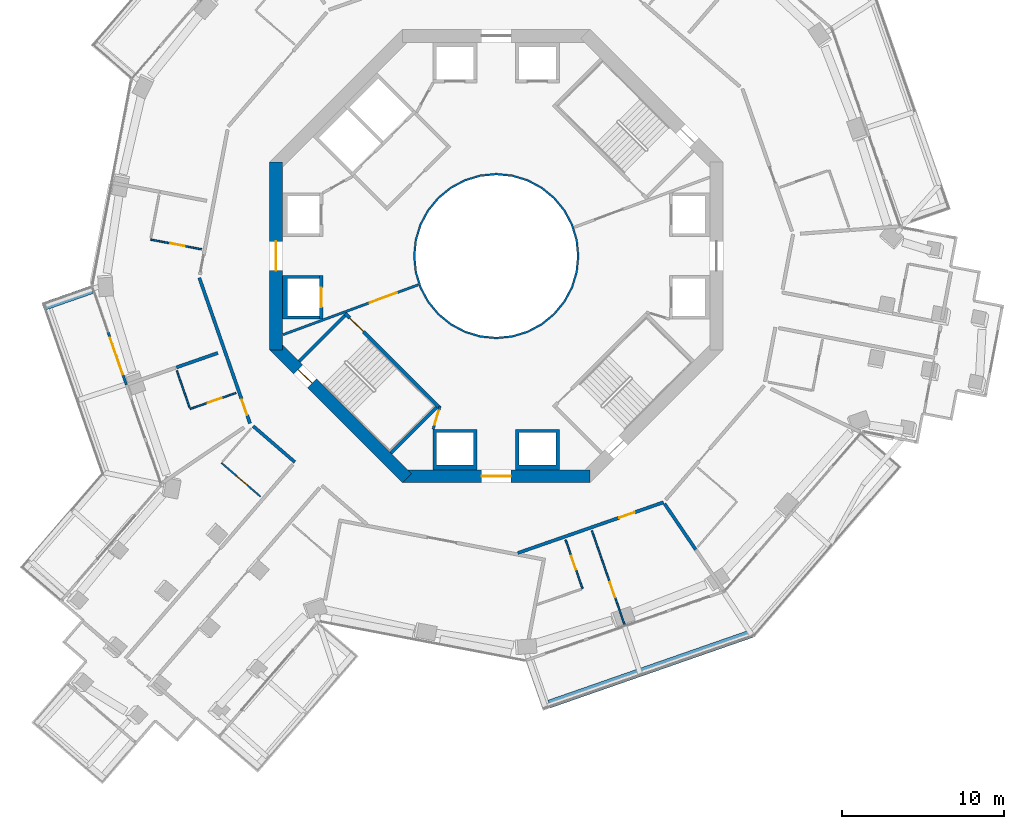
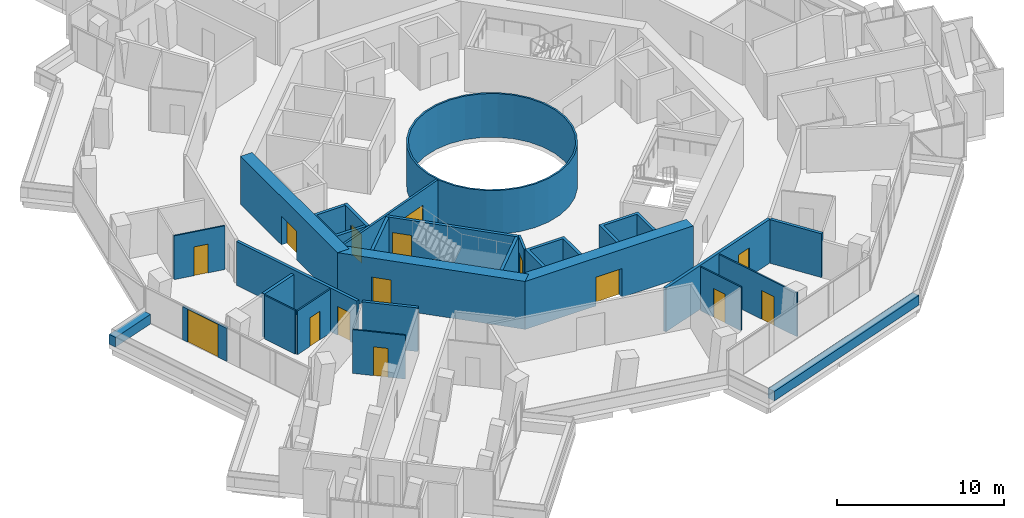
# One storey, part 16 of 23: 27 walls, 15 doors, 15 openings.
"""IFC4 building model written with IfcOpenShell, lengths in metres."""

from ifc_helpers import new_model, si_unit, direction, frame, frame_2d, origin, place, context, subcontext, project, spatial, polyline, rectangle, outline, extrude, material, layer, layer_set, type_object, element, fill, save


model = new_model("IFC4")

# Units and contexts
model_context = context("Model", 3, precision=1e-05, world=origin(), true_north=direction((0.0, 1.0)))
body_context = subcontext(model_context, "Body", "Model", "MODEL_VIEW")
ifc_project = project(units=[si_unit("LENGTHUNIT", "METRE"), si_unit("AREAUNIT", "SQUARE_METRE"), si_unit("VOLUMEUNIT", "CUBIC_METRE"), si_unit("PLANEANGLEUNIT", "RADIAN"), si_unit("MASSUNIT", "GRAM", prefix="KILO")], contexts=[model_context])

# Site, building, storey
site_placement = place(None, origin())
site = spatial("IfcSite", under=ifc_project, at=site_placement, CompositionType="ELEMENT")
building_placement = place(site_placement, origin())
building = spatial("IfcBuilding", under=site, at=building_placement, Name="Verdalira Terraces Hotel", CompositionType="ELEMENT")
storey_placement = place(building_placement, frame((0.0, 0.0, 111.5)))
storey = spatial("IfcBuildingStorey", under=building, at=storey_placement, Name="L26", CompositionType="ELEMENT", Elevation=111.5)

# Walls
ifc_material_1 = material(Name="Fire-resisting glass EI 180", Category="glass")
ifc_layer_1 = layer(ifc_material_1, 0.1201171875)
ifc_layer_set_1 = layer_set([ifc_layer_1], Name="Atrium fire screen 120 mm")
wall_type_1 = type_object("IfcWallType", Name="Atrium fire screen 120 mm", PredefinedType="SOLIDWALL", material=ifc_layer_set_1)
wall_1_placement = place(storey_placement, origin())
element("IfcWall", 1, at=wall_1_placement, inside=storey, type_object=wall_type_1, Name="Atrium fire screen", PredefinedType="SOLIDWALL", context=body_context, shape_type="SweptSolid", body=[
    extrude(outline(polyline([(5.021484, -0.998779), (4.730225, -1.959229), (4.25708, -2.844482), (3.620361, -3.620361), (2.844482, -4.25708), (1.959229, -4.730225), (0.998779, -5.021484), (0.0, -5.120117), (-0.998779, -5.021484), (-1.959229, -4.730225), (-2.844482, -4.25708), (-3.620361, -3.620361), (-4.25708, -2.844482), (-4.730225, -1.959229), (-5.021484, -0.998779), (-5.120117, 0.0), (-5.021484, 0.998779), (-4.730225, 1.959229), (-4.25708, 2.844482), (-3.620361, 3.620361), (-2.844482, 4.25708), (-1.959229, 4.730225), (-0.998779, 5.021484), (0.0, 5.120117), (0.998779, 5.021484), (1.959229, 4.730225), (2.844482, 4.25708), (3.620361, 3.620361), (4.25708, 2.844482), (4.730225, 1.959229), (5.021484, 0.998779), (5.120117, 0.0), (5.021484, -0.998779)]), holes=[polyline([(4.903809, 0.975586), (4.619385, 1.91333), (4.157227, 2.777832), (3.5354, 3.5354), (2.777832, 4.157227), (1.91333, 4.619385), (0.975586, 4.903809), (0.0, 5.0), (-0.975586, 4.903809), (-1.91333, 4.619385), (-2.777832, 4.157227), (-3.5354, 3.5354), (-4.157227, 2.777832), (-4.619385, 1.91333), (-4.903809, 0.975586), (-5.0, 0.0), (-4.903809, -0.975586), (-4.619385, -1.91333), (-4.157227, -2.777832), (-3.5354, -3.5354), (-2.777832, -4.157227), (-1.91333, -4.619385), (-0.975586, -4.903809), (0.0, -5.0), (0.975586, -4.903809), (1.91333, -4.619385), (2.777832, -4.157227), (3.5354, -3.5354), (4.157227, -2.777832), (4.619385, -1.91333), (4.903809, -0.975586), (5.0, 0.0), (4.903809, 0.975586)])]), origin(), (0.0, 0.0, 1.0), 3.189941),
])
ifc_material_2 = material(Name="Concrete C40", Category="concrete")
ifc_layer_2 = layer(ifc_material_2, 0.5)
ifc_layer_set_2 = layer_set([ifc_layer_2], Name="Balcony planter trough with tree")
wall_type_2 = type_object("IfcWallType", Name="Balcony planter trough with tree", PredefinedType="SOLIDWALL", material=ifc_layer_set_2)
wall_2_placement = place(storey_placement, frame((-24.965332, -2.075684, 0.0), z_axis=(0.0, 0.0, 1.0), x_axis=(-0.944378331, -0.328861017, 0.0)))
element("IfcWall", 2, at=wall_2_placement, inside=storey, type_object=wall_type_2, Name="Balcony planter", PredefinedType="SOLIDWALL", context=body_context, shape_type="SweptSolid", body=[
    extrude(rectangle(XDim=3.198975, YDim=0.5, at=frame_2d((1.599609, 0.0))), origin(), (0.0, 0.0, 1.0), 0.699951),
])
wall_3_placement = place(storey_placement, frame((3.281738, -27.668213, 0.0), z_axis=(0.0, 0.0, 1.0), x_axis=(0.94437244, 0.328877933, 0.0)))
element("IfcWall", 3, at=wall_3_placement, inside=storey, type_object=wall_type_2, Name="Balcony planter", PredefinedType="SOLIDWALL", context=body_context, shape_type="SweptSolid", body=[
    extrude(rectangle(XDim=13.223389, YDim=0.5, at=frame_2d((6.611816, 0.0))), origin(), (0.0, 0.0, 1.0), 0.699951),
])

# Wall, opening, door
ifc_material_3 = material(Name="Moisture-resistant gypsum board partition")
ifc_layer_3 = layer(ifc_material_3, 0.10009765625)
ifc_layer_set_3 = layer_set([ifc_layer_3], Name="Bathroom partition 100 mm")
wall_type_3 = type_object("IfcWallType", Name="Bathroom partition 100 mm", PredefinedType="PARTITIONING", material=ifc_layer_set_3)
wall_4_placement = place(storey_placement, frame((-21.345703, 1.017822, 0.0), z_axis=(0.0, 0.0, 1.0), x_axis=(0.982287779, -0.187378546, 0.0)))
wall_4 = element("IfcWall", 4, at=wall_4_placement, inside=storey, type_object=wall_type_3, Name="Bathroom partition", PredefinedType="PARTITIONING", context=body_context, shape_type="SweptSolid", body=[
    extrude(rectangle(XDim=3.199951, YDim=0.100098, at=frame_2d((1.600098, 0.0))), origin(), (0.0, 0.0, 1.0), 3.189941),
])
opening_1_placement = place(wall_4_placement, frame((1.25, 0.0, 0.0)))
opening_1 = element("IfcOpeningElement", 5, at=opening_1_placement, cuts=wall_4, Name="Opening L26-109", PredefinedType="OPENING", context=body_context, shape_type="SweptSolid", body=[
    extrude(rectangle(XDim=0.899902, YDim=2.100098, at=frame_2d((0.449951, 1.050049))), frame((0.0, 0.060059, 0.0), z_axis=(0.0, -1.0, 0.0), x_axis=(1.0, 0.0, 0.0)), (0.0, 0.0, 1.0), 0.120117),
])
ifc_material_4 = material(Name="Timber door", Category="wood")
door_type_1 = type_object("IfcDoorType", Name="Bathroom door 900 x 2100", OperationType="NOTDEFINED", PredefinedType="DOOR", material=ifc_material_4)
door_1_placement = place(opening_1_placement, origin())
door_1 = element("IfcDoor", 6, at=door_1_placement, inside=storey, type_object=door_type_1, Name="Bathroom door 2604", OperationType="SINGLE_SWING_LEFT", OverallHeight=2.10009765625, OverallWidth=0.89990234375, PredefinedType="DOOR", context=body_context, shape_type="SweptSolid", body=[
    extrude(rectangle(XDim=0.899902, YDim=2.100098, at=frame_2d((0.449951, 1.050049))), frame((0.0, 0.024902, 0.0), z_axis=(0.0, -1.0, 0.0), x_axis=(1.0, 0.0, 0.0)), (0.0, 0.0, 1.0), 0.050049),
])
fill(opening_1, door_1)

# Wall
wall_5_placement = place(storey_placement, frame((-18.9375, -9.3479, 0.0), z_axis=(0.0, 0.0, 1.0), x_axis=(-0.328863847, 0.944377345, 0.0)))
element("IfcWall", 7, at=wall_5_placement, inside=storey, type_object=wall_type_3, Name="Bathroom partition", PredefinedType="PARTITIONING", context=body_context, shape_type="SweptSolid", body=[
    extrude(rectangle(XDim=2.400146, YDim=0.100098, at=frame_2d((1.200195, 0.0))), origin(), (0.0, 0.0, 1.0), 3.189941),
])

# Wall, opening, door
wall_6_placement = place(storey_placement, frame((-18.904541, -9.442383, 0.0), z_axis=(0.0, 0.0, 1.0), x_axis=(0.944374862, 0.328870977, 0.0)))
wall_6 = element("IfcWall", 8, at=wall_6_placement, inside=storey, type_object=wall_type_3, Name="Bathroom partition", PredefinedType="PARTITIONING", context=body_context, shape_type="SweptSolid", body=[
    extrude(rectangle(XDim=2.999756, YDim=0.100098, at=frame_2d((1.5, 0.0))), origin(), (0.0, 0.0, 1.0), 3.189941),
])
opening_2_placement = place(wall_6_placement, frame((1.149902, 0.0, 0.0)))
opening_2 = element("IfcOpeningElement", 9, at=opening_2_placement, cuts=wall_6, Name="Opening L26-111", PredefinedType="OPENING", context=body_context, shape_type="SweptSolid", body=[
    extrude(rectangle(XDim=0.899902, YDim=2.100098, at=frame_2d((0.449951, 1.050049))), frame((0.0, 0.060059, 0.0), z_axis=(0.0, -1.0, 0.0), x_axis=(1.0, 0.0, 0.0)), (0.0, 0.0, 1.0), 0.120117),
])
door_2_placement = place(opening_2_placement, origin())
door_2 = element("IfcDoor", 10, at=door_2_placement, inside=storey, type_object=door_type_1, Name="Bathroom door 2605", OperationType="SINGLE_SWING_LEFT", OverallHeight=2.10009765625, OverallWidth=0.89990234375, PredefinedType="DOOR", context=body_context, shape_type="SweptSolid", body=[
    extrude(rectangle(XDim=0.899902, YDim=2.100098, at=frame_2d((0.449951, 1.050049))), frame((0.0, 0.024902, 0.0), z_axis=(0.0, -1.0, 0.0), x_axis=(1.0, 0.0, 0.0)), (0.0, 0.0, 1.0), 0.050049),
])
fill(opening_2, door_2)

wall_7_placement = place(storey_placement, frame((-16.970459, -12.773682, 0.0), z_axis=(0.0, 0.0, 1.0), x_axis=(0.757011685, -0.653401338, 0.0)))
wall_7 = element("IfcWall", 11, at=wall_7_placement, inside=storey, type_object=wall_type_3, Name="Bathroom partition", PredefinedType="PARTITIONING", context=body_context, shape_type="SweptSolid", body=[
    extrude(rectangle(XDim=3.199951, YDim=0.100098, at=frame_2d((1.600098, 0.0))), origin(), (0.0, 0.0, 1.0), 3.189941),
])
opening_3_placement = place(wall_7_placement, frame((1.25, 0.0, 0.0)))
opening_3 = element("IfcOpeningElement", 12, at=opening_3_placement, cuts=wall_7, Name="Opening L26-113", PredefinedType="OPENING", context=body_context, shape_type="SweptSolid", body=[
    extrude(rectangle(XDim=0.899902, YDim=2.100098, at=frame_2d((0.449951, 1.050049))), frame((0.0, 0.060059, 0.0), z_axis=(0.0, -1.0, 0.0), x_axis=(1.0, 0.0, 0.0)), (0.0, 0.0, 1.0), 0.120117),
])
door_3_placement = place(opening_3_placement, origin())
door_3 = element("IfcDoor", 13, at=door_3_placement, inside=storey, type_object=door_type_1, Name="Bathroom door 2606", OperationType="SINGLE_SWING_LEFT", OverallHeight=2.10009765625, OverallWidth=0.89990234375, PredefinedType="DOOR", context=body_context, shape_type="SweptSolid", body=[
    extrude(rectangle(XDim=0.899902, YDim=2.100098, at=frame_2d((0.449951, 1.050049))), frame((0.0, 0.024902, 0.0), z_axis=(0.0, -1.0, 0.0), x_axis=(1.0, 0.0, 0.0)), (0.0, 0.0, 1.0), 0.050049),
])
fill(opening_3, door_3)

wall_8_placement = place(storey_placement, frame((5.335449, -20.546387, 0.0), z_axis=(0.0, 0.0, 1.0), x_axis=(-0.328834281, 0.944387641, 0.0)))
wall_8 = element("IfcWall", 14, at=wall_8_placement, inside=storey, type_object=wall_type_3, Name="Bathroom partition", PredefinedType="PARTITIONING", context=body_context, shape_type="SweptSolid", body=[
    extrude(rectangle(XDim=3.199951, YDim=0.100098, at=frame_2d((1.600098, 0.0))), origin(), (0.0, 0.0, 1.0), 3.189941),
])
opening_4_placement = place(wall_8_placement, frame((1.25, 0.0, 0.0)))
opening_4 = element("IfcOpeningElement", 15, at=opening_4_placement, cuts=wall_8, Name="Opening L26-119", PredefinedType="OPENING", context=body_context, shape_type="SweptSolid", body=[
    extrude(rectangle(XDim=0.899902, YDim=2.100098, at=frame_2d((0.449951, 1.050049))), frame((0.0, 0.060059, 0.0), z_axis=(0.0, -1.0, 0.0), x_axis=(1.0, 0.0, 0.0)), (0.0, 0.0, 1.0), 0.120117),
])
door_4_placement = place(opening_4_placement, origin())
door_4 = element("IfcDoor", 16, at=door_4_placement, inside=storey, type_object=door_type_1, Name="Bathroom door 2609", OperationType="SINGLE_SWING_LEFT", OverallHeight=2.10009765625, OverallWidth=0.89990234375, PredefinedType="DOOR", context=body_context, shape_type="SweptSolid", body=[
    extrude(rectangle(XDim=0.899902, YDim=2.100098, at=frame_2d((0.449951, 1.050049))), frame((0.0, 0.024902, 0.0), z_axis=(0.0, -1.0, 0.0), x_axis=(1.0, 0.0, 0.0)), (0.0, 0.0, 1.0), 0.050049),
])
fill(opening_4, door_4)

wall_9_placement = place(storey_placement, frame((7.928467, -22.767334, 0.0), z_axis=(0.0, 0.0, 1.0), x_axis=(-0.328859343, 0.944378914, 0.0)))
wall_9 = element("IfcWall", 17, at=wall_9_placement, inside=storey, type_object=wall_type_3, Name="Bathroom partition", PredefinedType="PARTITIONING", context=body_context, shape_type="SweptSolid", body=[
    extrude(rectangle(XDim=6.149902, YDim=0.100098, at=frame_2d((3.074951, 0.0))), origin(), (0.0, 0.0, 1.0), 3.189941),
])
opening_5_placement = place(wall_9_placement, frame((1.800049, 0.0, 0.0)))
opening_5 = element("IfcOpeningElement", 18, at=opening_5_placement, cuts=wall_9, Name="Opening L26-118", PredefinedType="OPENING", context=body_context, shape_type="SweptSolid", body=[
    extrude(rectangle(XDim=1.0, YDim=2.100098, at=frame_2d((0.5, 1.050049))), frame((0.0, 0.060059, 0.0), z_axis=(0.0, -1.0, 0.0), x_axis=(1.0, 0.0, 0.0)), (0.0, 0.0, 1.0), 0.120117),
])
ifc_material_5 = material(Name="Timber door", Category="wood")
door_type_2 = type_object("IfcDoorType", Name="Suite internal door 1000 x 2100", OperationType="NOTDEFINED", PredefinedType="DOOR", material=ifc_material_5)
door_5_placement = place(opening_5_placement, origin())
door_5 = element("IfcDoor", 19, at=door_5_placement, inside=storey, type_object=door_type_2, Name="Suite internal door 2609", OperationType="SINGLE_SWING_LEFT", OverallHeight=2.10009765625, OverallWidth=1.0, PredefinedType="DOOR", context=body_context, shape_type="SweptSolid", body=[
    extrude(rectangle(XDim=1.0, YDim=2.100098, at=frame_2d((0.5, 1.050049))), frame((0.0, 0.024902, 0.0), z_axis=(0.0, -1.0, 0.0), x_axis=(1.0, 0.0, 0.0)), (0.0, 0.0, 1.0), 0.050049),
])
fill(opening_5, door_5)

# Wall
ifc_material_6 = material(Name="Concrete C50", Category="concrete")
ifc_layer_4 = layer(ifc_material_6, 0.199951171875)
ifc_layer_set_4 = layer_set([ifc_layer_4], Name="Core RC wall 200 C50")
wall_type_4 = type_object("IfcWallType", Name="Core RC wall 200 C50", PredefinedType="SOLIDWALL", material=ifc_layer_set_4)
wall_10_placement = place(storey_placement, origin())
element("IfcWall", 20, at=wall_10_placement, inside=storey, type_object=wall_type_4, Name="L26 shaft wall W2", PredefinedType="SOLIDWALL", context=body_context, shape_type="SweptSolid", body=[
    extrude(outline(polyline([(-13.199951, -3.899902), (-13.199951, -1.199951), (-10.899902, -1.199951), (-10.899902, -1.399902), (-12.899902, -1.399902), (-12.899902, -3.699951), (-10.899902, -3.699951), (-10.899902, -3.899902), (-13.199951, -3.899902)])), origin(), (0.0, 0.0, 1.0), 3.189941),
])

# Wall, opening, door
wall_11_placement = place(storey_placement, frame((-10.800049, -1.199951, 0.0), z_axis=(0.0, 0.0, 1.0), x_axis=(0.0, -1.0, 0.0)))
wall_11 = element("IfcWall", 21, at=wall_11_placement, inside=storey, type_object=wall_type_4, Name="L26 shaft front wall W2", PredefinedType="SOLIDWALL", context=body_context, shape_type="SweptSolid", body=[
    extrude(rectangle(XDim=2.699951, YDim=0.199951, at=frame_2d((1.350098, 0.0))), origin(), (0.0, 0.0, 1.0), 3.189941),
])
opening_6_placement = place(wall_11_placement, frame((0.75, 0.0, 0.0)))
opening_6 = element("IfcOpeningElement", 22, at=opening_6_placement, cuts=wall_11, Name="Opening LD-L26-806", PredefinedType="OPENING", context=body_context, shape_type="SweptSolid", body=[
    extrude(rectangle(XDim=1.199951, YDim=2.100098, at=frame_2d((0.600098, 1.050049))), frame((0.0, 0.109863, 0.0), z_axis=(0.0, -1.0, 0.0), x_axis=(1.0, 0.0, 0.0)), (0.0, 0.0, 1.0), 0.219971),
])
ifc_material_7 = material(Name="Stainless steel", Category="steel")
door_type_3 = type_object("IfcDoorType", Name="Landing door 1200 x 2100", OperationType="NOTDEFINED", PredefinedType="DOOR", material=ifc_material_7)
door_6_placement = place(opening_6_placement, origin())
door_6 = element("IfcDoor", 23, at=door_6_placement, inside=storey, type_object=door_type_3, Name="Lift landing door LR6 L26", OperationType="DOUBLE_DOOR_SLIDING", OverallHeight=2.10009765625, OverallWidth=1.199951171875, PredefinedType="DOOR", context=body_context, shape_type="SweptSolid", body=[
    extrude(rectangle(XDim=1.199951, YDim=2.100098, at=frame_2d((0.600098, 1.050049))), frame((0.0, 0.024902, 0.0), z_axis=(0.0, -1.0, 0.0), x_axis=(1.0, 0.0, 0.0)), (0.0, 0.0, 1.0), 0.050049),
])
fill(opening_6, door_6)

# Walls
wall_12_placement = place(storey_placement, origin())
element("IfcWall", 24, at=wall_12_placement, inside=storey, type_object=wall_type_4, Name="L26 shaft wall S1", PredefinedType="SOLIDWALL", context=body_context, shape_type="SweptSolid", body=[
    extrude(outline(polyline([(-1.199951, -13.199951), (-3.899902, -13.199951), (-3.899902, -10.699951), (-1.199951, -10.699951), (-1.199951, -13.199951)]), holes=[polyline([(-3.699951, -10.899902), (-3.699951, -12.899902), (-1.399902, -12.899902), (-1.399902, -10.899902), (-3.699951, -10.899902)])]), origin(), (0.0, 0.0, 1.0), 3.189941),
])
wall_13_placement = place(storey_placement, origin())
element("IfcWall", 25, at=wall_13_placement, inside=storey, type_object=wall_type_4, Name="L26 shaft wall S2", PredefinedType="SOLIDWALL", context=body_context, shape_type="SweptSolid", body=[
    extrude(outline(polyline([(3.899902, -10.699951), (3.899902, -13.199951), (1.199951, -13.199951), (1.199951, -10.699951), (3.899902, -10.699951)]), holes=[polyline([(1.399902, -12.899902), (3.699951, -12.899902), (3.699951, -10.899902), (1.399902, -10.899902), (1.399902, -12.899902)])]), origin(), (0.0, 0.0, 1.0), 3.189941),
])

# Wall, opening, door
wall_14_placement = place(storey_placement, frame((-3.5354, -9.33374, 0.0), z_axis=(0.0, 0.0, 1.0), x_axis=(-0.707106781, 0.707106781, 0.0)))
wall_14 = element("IfcWall", 26, at=wall_14_placement, inside=storey, type_object=wall_type_4, Name="L26 stair ST2 front wall", PredefinedType="SOLIDWALL", context=body_context, shape_type="SweptSolid", body=[
    extrude(rectangle(XDim=8.200195, YDim=0.199951, at=frame_2d((4.100098, 0.0))), origin(), (0.0, 0.0, 1.0), 3.189941),
])
opening_7_placement = place(wall_14_placement, frame((6.600098, 0.0, 0.0)))
opening_7 = element("IfcOpeningElement", 27, at=opening_7_placement, cuts=wall_14, Name="Opening L26-810", PredefinedType="OPENING", context=body_context, shape_type="SweptSolid", body=[
    extrude(rectangle(XDim=1.199951, YDim=2.100098, at=frame_2d((0.600098, 1.050049))), frame((0.0, 0.109863, 0.0), z_axis=(0.0, -1.0, 0.0), x_axis=(1.0, 0.0, 0.0)), (0.0, 0.0, 1.0), 0.219971),
])
ifc_material_8 = material(Name="Steel fire door", Category="steel")
door_type_4 = type_object("IfcDoorType", Name="Stair door 1200 x 2100", OperationType="NOTDEFINED", PredefinedType="DOOR", material=ifc_material_8)
door_7_placement = place(opening_7_placement, origin())
door_7 = element("IfcDoor", 28, at=door_7_placement, inside=storey, type_object=door_type_4, Name="Stair door ST2 L26", OperationType="SINGLE_SWING_RIGHT", OverallHeight=2.10009765625, OverallWidth=1.199951171875, PredefinedType="DOOR", context=body_context, shape_type="SweptSolid", body=[
    extrude(rectangle(XDim=1.199951, YDim=2.100098, at=frame_2d((0.600098, 1.050049))), frame((0.0, 0.024902, 0.0), z_axis=(0.0, -1.0, 0.0), x_axis=(1.0, 0.0, 0.0)), (0.0, 0.0, 1.0), 0.050049),
])
fill(opening_7, door_7)

# Walls
for number, where, z_axis, x_axis, name in (
    (29, (-9.33374, -3.677002, 0.0), (0.0, 0.0, 1.0), (-0.707106781, -0.707106781, 0.0), "L26 stair ST2 end wall 1"),
    (30, (-3.677002, -9.33374, 0.0), (0.0, 0.0, 1.0), (-0.707106781, -0.707106781, 0.0), "L26 stair ST2 end wall 2"),
):
    element("IfcWall", number, at=place(storey_placement, frame(where, z_axis=z_axis, x_axis=x_axis)), inside=storey, type_object=wall_type_4, Name=name, PredefinedType="SOLIDWALL", context=body_context, shape_type="SweptSolid", body=[
        extrude(rectangle(XDim=4.0, YDim=0.199951, at=frame_2d((2.0, 0.0))), origin(), (0.0, 0.0, 1.0), 3.189941),
    ])

# Wall, opening, door
ifc_material_9 = material(Name="Gypsum board partition")
ifc_layer_5 = layer(ifc_material_9, 0.14990234375)
ifc_layer_set_5 = layer_set([ifc_layer_5], Name="Core partition 150 mm")
wall_type_5 = type_object("IfcWallType", Name="Core partition 150 mm", PredefinedType="PARTITIONING", material=ifc_layer_set_5)
wall_15_placement = place(storey_placement, frame((-3.464844, -9.263184, 0.0), z_axis=(0.0, 0.0, 1.0), x_axis=(-0.289808785, -0.957084567, 0.0)))
wall_15 = element("IfcWall", 31, at=wall_15_placement, inside=storey, type_object=wall_type_5, Name="Room partition L26", PredefinedType="PARTITIONING", context=body_context, shape_type="SweptSolid", body=[
    extrude(rectangle(XDim=1.501221, YDim=0.149902, at=frame_2d((0.750488, 0.0))), origin(), (0.0, 0.0, 1.0), 3.189941),
])
opening_8_placement = place(wall_15_placement, frame((0.300781, 0.0, 0.0)))
opening_8 = element("IfcOpeningElement", 32, at=opening_8_placement, cuts=wall_15, Name="Opening L26-822", PredefinedType="OPENING", context=body_context, shape_type="SweptSolid", body=[
    extrude(rectangle(XDim=0.899902, YDim=2.100098, at=frame_2d((0.449951, 1.050049))), frame((0.0, 0.084961, 0.0), z_axis=(0.0, -1.0, 0.0), x_axis=(1.0, 0.0, 0.0)), (0.0, 0.0, 1.0), 0.169922),
])
ifc_material_10 = material(Name="Steel fire door", Category="steel")
door_type_5 = type_object("IfcDoorType", Name="Core room door 900 x 2100", OperationType="NOTDEFINED", PredefinedType="DOOR", material=ifc_material_10)
door_8_placement = place(opening_8_placement, origin())
door_8 = element("IfcDoor", 33, at=door_8_placement, inside=storey, type_object=door_type_5, Name="Door L26 room5", OperationType="SINGLE_SWING_LEFT", OverallHeight=2.10009765625, OverallWidth=0.89990234375, PredefinedType="DOOR", context=body_context, shape_type="SweptSolid", body=[
    extrude(rectangle(XDim=0.899902, YDim=2.100098, at=frame_2d((0.449951, 1.050049))), frame((0.0, 0.024902, 0.0), z_axis=(0.0, -1.0, 0.0), x_axis=(1.0, 0.0, 0.0)), (0.0, 0.0, 1.0), 0.050049),
])
fill(opening_8, door_8)

wall_16_placement = place(storey_placement, frame((-4.812988, -1.775635, 0.0), z_axis=(0.0, 0.0, 1.0), x_axis=(-0.938191915, -0.346115488, 0.0)))
wall_16 = element("IfcWall", 34, at=wall_16_placement, inside=storey, type_object=wall_type_5, Name="Gallery fire partition L26", PredefinedType="PARTITIONING", context=body_context, shape_type="SweptSolid", body=[
    extrude(rectangle(XDim=8.909668, YDim=0.149902, at=frame_2d((4.454834, 0.0))), origin(), (0.0, 0.0, 1.0), 3.189941),
])
opening_9_placement = place(wall_16_placement, frame((1.399902, 0.0, 0.0)))
opening_9 = element("IfcOpeningElement", 35, at=opening_9_placement, cuts=wall_16, Name="Opening L26-825", PredefinedType="OPENING", context=body_context, shape_type="SweptSolid", body=[
    extrude(rectangle(XDim=1.800049, YDim=2.100098, at=frame_2d((0.899902, 1.050049))), frame((0.0, 0.084961, 0.0), z_axis=(0.0, -1.0, 0.0), x_axis=(1.0, 0.0, 0.0)), (0.0, 0.0, 1.0), 0.169922),
])
ifc_material_11 = material(Name="Steel fire door", Category="steel")
door_type_6 = type_object("IfcDoorType", Name="Gallery fire door pair 1800 x 2100", OperationType="NOTDEFINED", PredefinedType="DOOR", material=ifc_material_11)
door_9_placement = place(opening_9_placement, origin())
door_9 = element("IfcDoor", 36, at=door_9_placement, inside=storey, type_object=door_type_6, Name="Door L26 split4", OperationType="DOUBLE_DOOR_SINGLE_SWING", OverallHeight=2.10009765625, OverallWidth=1.800048828125, PredefinedType="DOOR", context=body_context, shape_type="SweptSolid", body=[
    extrude(rectangle(XDim=1.800049, YDim=2.100098, at=frame_2d((0.899902, 1.050049))), frame((0.0, 0.024902, 0.0), z_axis=(0.0, -1.0, 0.0), x_axis=(1.0, 0.0, 0.0)), (0.0, 0.0, 1.0), 0.050049),
])
fill(opening_9, door_9)

ifc_material_12 = material(Name="Concrete C70", Category="concrete")
ifc_layer_6 = layer(ifc_material_12, 0.800048828125)
ifc_layer_set_6 = layer_set([ifc_layer_6], Name="Core wall 800 C70")
wall_type_6 = type_object("IfcWallType", Name="Core wall 800 C70", PredefinedType="SHEAR", material=ifc_layer_set_6)
wall_17_placement = place(storey_placement, frame((-13.600098, 5.799072, 0.0), z_axis=(0.0, 0.0, 1.0), x_axis=(0.0, -1.0, 0.0)))
wall_17 = element("IfcWall", 37, at=wall_17_placement, inside=storey, type_object=wall_type_6, Name="Core wall CW-L26-5", PredefinedType="SHEAR", context=body_context, shape_type="SweptSolid", body=[
    extrude(rectangle(XDim=11.598145, YDim=0.800049, at=frame_2d((5.799072, 0.0))), origin(), (0.0, 0.0, 1.0), 3.5),
])
opening_10_placement = place(wall_17_placement, frame((4.898926, 0.0, 0.0)))
opening_10 = element("IfcOpeningElement", 38, at=opening_10_placement, cuts=wall_17, Name="Opening L26-814", PredefinedType="OPENING", context=body_context, shape_type="SweptSolid", body=[
    extrude(rectangle(XDim=1.800049, YDim=2.100098, at=frame_2d((0.899902, 1.050049))), frame((0.0, 0.409912, 0.0), z_axis=(0.0, -1.0, 0.0), x_axis=(1.0, 0.0, 0.0)), (0.0, 0.0, 1.0), 0.820068),
])
ifc_material_13 = material(Name="Steel fire door", Category="steel")
door_type_7 = type_object("IfcDoorType", Name="Core entry door pair 1800 x 2100", OperationType="NOTDEFINED", PredefinedType="DOOR", material=ifc_material_13)
door_10_placement = place(opening_10_placement, origin())
door_10 = element("IfcDoor", 39, at=door_10_placement, inside=storey, type_object=door_type_7, Name="Core entry door L26 4", OperationType="DOUBLE_DOOR_SINGLE_SWING", OverallHeight=2.10009765625, OverallWidth=1.800048828125, PredefinedType="DOOR", context=body_context, shape_type="SweptSolid", body=[
    extrude(rectangle(XDim=1.800049, YDim=2.100098, at=frame_2d((0.899902, 1.050049))), frame((0.0, 0.024902, 0.0), z_axis=(0.0, -1.0, 0.0), x_axis=(1.0, 0.0, 0.0)), (0.0, 0.0, 1.0), 0.050049),
])
fill(opening_10, door_10)

wall_18_placement = place(storey_placement, frame((-13.717285, -5.516113, 0.0), z_axis=(0.0, 0.0, 1.0), x_axis=(0.707106781, -0.707106781, 0.0)))
wall_18 = element("IfcWall", 40, at=wall_18_placement, inside=storey, type_object=wall_type_6, Name="Core wall CW-L26-6", PredefinedType="SHEAR", context=body_context, shape_type="SweptSolid", body=[
    extrude(rectangle(XDim=11.598145, YDim=0.800049, at=frame_2d((5.799072, 0.0))), origin(), (0.0, 0.0, 1.0), 3.5),
])
opening_11_placement = place(wall_18_placement, frame((2.099121, 0.0, 0.0)))
opening_11 = element("IfcOpeningElement", 41, at=opening_11_placement, cuts=wall_18, Name="Opening L26-817", PredefinedType="OPENING", context=body_context, shape_type="SweptSolid", body=[
    extrude(rectangle(XDim=1.199951, YDim=2.100098, at=frame_2d((0.600098, 1.050049))), frame((0.0, 0.409912, 0.0), z_axis=(0.0, -1.0, 0.0), x_axis=(1.0, 0.0, 0.0)), (0.0, 0.0, 1.0), 0.820068),
])
door_11_placement = place(opening_11_placement, origin())
door_11 = element("IfcDoor", 42, at=door_11_placement, inside=storey, type_object=door_type_4, Name="Stair exit door ST2 L26", OperationType="SINGLE_SWING_LEFT", OverallHeight=2.10009765625, OverallWidth=1.199951171875, PredefinedType="DOOR", context=body_context, shape_type="SweptSolid", body=[
    extrude(rectangle(XDim=1.199951, YDim=2.100098, at=frame_2d((0.600098, 1.050049))), frame((0.0, 0.024902, 0.0), z_axis=(0.0, -1.0, 0.0), x_axis=(1.0, 0.0, 0.0)), (0.0, 0.0, 1.0), 0.050049),
])
fill(opening_11, door_11)

wall_19_placement = place(storey_placement, frame((-5.799072, -13.600098, 0.0), z_axis=(0.0, 0.0, 1.0), x_axis=(1.0, 0.0, 0.0)))
wall_19 = element("IfcWall", 43, at=wall_19_placement, inside=storey, type_object=wall_type_6, Name="Core wall CW-L26-7", PredefinedType="SHEAR", context=body_context, shape_type="SweptSolid", body=[
    extrude(rectangle(XDim=11.598145, YDim=0.800049, at=frame_2d((5.799072, 0.0))), origin(), (0.0, 0.0, 1.0), 3.5),
])
opening_12_placement = place(wall_19_placement, frame((4.898926, 0.0, 0.0)))
opening_12 = element("IfcOpeningElement", 44, at=opening_12_placement, cuts=wall_19, Name="Opening L26-815", PredefinedType="OPENING", context=body_context, shape_type="SweptSolid", body=[
    extrude(rectangle(XDim=1.800049, YDim=2.100098, at=frame_2d((0.899902, 1.050049))), frame((0.0, 0.409912, 0.0), z_axis=(0.0, -1.0, 0.0), x_axis=(1.0, 0.0, 0.0)), (0.0, 0.0, 1.0), 0.820068),
])
door_12_placement = place(opening_12_placement, origin())
door_12 = element("IfcDoor", 45, at=door_12_placement, inside=storey, type_object=door_type_7, Name="Core entry door L26 6", OperationType="DOUBLE_DOOR_SINGLE_SWING", OverallHeight=2.10009765625, OverallWidth=1.800048828125, PredefinedType="DOOR", context=body_context, shape_type="SweptSolid", body=[
    extrude(rectangle(XDim=1.800049, YDim=2.100098, at=frame_2d((0.899902, 1.050049))), frame((0.0, 0.024902, 0.0), z_axis=(0.0, -1.0, 0.0), x_axis=(1.0, 0.0, 0.0)), (0.0, 0.0, 1.0), 0.050049),
])
fill(opening_12, door_12)

# Walls
ifc_material_14 = material(Name="Fire-rated gypsum board wall")
ifc_layer_7 = layer(ifc_material_14, 0.199951171875)
ifc_layer_set_7 = layer_set([ifc_layer_7], Name="Demising wall 200 mm")
wall_type_7 = type_object("IfcWallType", Name="Demising wall 200 mm", PredefinedType="SOLIDWALL", material=ifc_layer_set_7)
wall_20_placement = place(storey_placement, frame((-17.192871, -5.987305, 0.0), z_axis=(0.0, 0.0, 1.0), x_axis=(-0.944393247, -0.328818178, 0.0)))
element("IfcWall", 46, at=wall_20_placement, inside=storey, type_object=wall_type_7, Name="Demising wall", PredefinedType="SOLIDWALL", context=body_context, shape_type="SweptSolid", body=[
    extrude(rectangle(XDim=2.704834, YDim=0.199951, at=frame_2d((1.352539, 0.0))), origin(), (0.0, 0.0, 1.0), 3.189941),
])
wall_21_placement = place(storey_placement, frame((10.39209, -15.29126, 0.0), z_axis=(0.0, 0.0, 1.0), x_axis=(0.562061907, -0.827095165, 0.0)))
element("IfcWall", 47, at=wall_21_placement, inside=storey, type_object=wall_type_7, Name="Demising wall", PredefinedType="SOLIDWALL", context=body_context, shape_type="SweptSolid", body=[
    extrude(rectangle(XDim=3.418457, YDim=0.199951, at=frame_2d((1.709229, 0.0))), origin(), (0.0, 0.0, 1.0), 3.189941),
])

# Wall, opening, door
ifc_material_15 = material(Name="Fire-rated gypsum board wall")
ifc_layer_8 = layer(ifc_material_15, 0.199951171875)
ifc_layer_set_8 = layer_set([ifc_layer_8], Name="Guest corridor wall 200 mm")
wall_type_8 = type_object("IfcWallType", Name="Guest corridor wall 200 mm", PredefinedType="SOLIDWALL", material=ifc_layer_set_8)
wall_22_placement = place(storey_placement, frame((-15.205811, -10.33374, 0.0), z_axis=(0.0, 0.0, 1.0), x_axis=(-0.328852959, 0.944381137, 0.0)))
wall_22 = element("IfcWall", 48, at=wall_22_placement, inside=storey, type_object=wall_type_8, Name="Guest corridor wall", PredefinedType="SOLIDWALL", context=body_context, shape_type="SweptSolid", body=[
    extrude(rectangle(XDim=9.516113, YDim=0.199951, at=frame_2d((4.758057, 0.0))), origin(), (0.0, 0.0, 1.0), 3.189941),
])
opening_13_placement = place(wall_22_placement, frame((0.550049, 0.0, 0.0)))
opening_13 = element("IfcOpeningElement", 49, at=opening_13_placement, cuts=wall_22, Name="Opening L26-110", PredefinedType="OPENING", context=body_context, shape_type="SweptSolid", body=[
    extrude(rectangle(XDim=1.0, YDim=2.100098, at=frame_2d((0.5, 1.050049))), frame((0.0, 0.109863, 0.0), z_axis=(0.0, -1.0, 0.0), x_axis=(1.0, 0.0, 0.0)), (0.0, 0.0, 1.0), 0.219971),
])
ifc_material_16 = material(Name="Timber fire door", Category="wood")
door_type_8 = type_object("IfcDoorType", Name="Guest entry door 1000 x 2100", OperationType="NOTDEFINED", PredefinedType="DOOR", material=ifc_material_16)
door_13_placement = place(opening_13_placement, origin())
door_13 = element("IfcDoor", 50, at=door_13_placement, inside=storey, type_object=door_type_8, Name="Guest entry door 2605", OperationType="SINGLE_SWING_LEFT", OverallHeight=2.10009765625, OverallWidth=1.0, PredefinedType="DOOR", context=body_context, shape_type="SweptSolid", body=[
    extrude(rectangle(XDim=1.0, YDim=2.100098, at=frame_2d((0.5, 1.050049))), frame((0.0, 0.024902, 0.0), z_axis=(0.0, -1.0, 0.0), x_axis=(1.0, 0.0, 0.0)), (0.0, 0.0, 1.0), 0.050049),
])
fill(opening_13, door_13)

# Wall
wall_23_placement = place(storey_placement, frame((-15.01001, -10.502686, 0.0), z_axis=(0.0, 0.0, 1.0), x_axis=(0.757016733, -0.65339549, 0.0)))
element("IfcWall", 51, at=wall_23_placement, inside=storey, type_object=wall_type_8, Name="Guest corridor wall", PredefinedType="SOLIDWALL", context=body_context, shape_type="SweptSolid", body=[
    extrude(rectangle(XDim=3.399902, YDim=0.199951, at=frame_2d((1.699951, 0.0))), origin(), (0.0, 0.0, 1.0), 3.189941),
])

# Wall, opening, door
wall_24_placement = place(storey_placement, frame((10.33374, -15.205811, 0.0), z_axis=(0.0, 0.0, 1.0), x_axis=(-0.944377236, -0.328864159, 0.0)))
wall_24 = element("IfcWall", 52, at=wall_24_placement, inside=storey, type_object=wall_type_8, Name="Guest corridor wall", PredefinedType="SOLIDWALL", context=body_context, shape_type="SweptSolid", body=[
    extrude(rectangle(XDim=9.536621, YDim=0.199951, at=frame_2d((4.768311, 0.0))), origin(), (0.0, 0.0, 1.0), 3.189941),
])
opening_14_placement = place(wall_24_placement, frame((1.899902, 0.0, 0.0)))
opening_14 = element("IfcOpeningElement", 53, at=opening_14_placement, cuts=wall_24, Name="Opening L26-117", PredefinedType="OPENING", context=body_context, shape_type="SweptSolid", body=[
    extrude(rectangle(XDim=1.0, YDim=2.100098, at=frame_2d((0.5, 1.050049))), frame((0.0, 0.109863, 0.0), z_axis=(0.0, -1.0, 0.0), x_axis=(1.0, 0.0, 0.0)), (0.0, 0.0, 1.0), 0.219971),
])
door_14_placement = place(opening_14_placement, origin())
door_14 = element("IfcDoor", 54, at=door_14_placement, inside=storey, type_object=door_type_8, Name="Guest entry door 2609", OperationType="SINGLE_SWING_LEFT", OverallHeight=2.10009765625, OverallWidth=1.0, PredefinedType="DOOR", context=body_context, shape_type="SweptSolid", body=[
    extrude(rectangle(XDim=1.0, YDim=2.100098, at=frame_2d((0.5, 1.050049))), frame((0.0, 0.024902, 0.0), z_axis=(0.0, -1.0, 0.0), x_axis=(1.0, 0.0, 0.0)), (0.0, 0.0, 1.0), 0.050049),
])
fill(opening_14, door_14)

ifc_material_17 = material(Name="Terracotta cladding", Category="masonry")
ifc_layer_9 = layer(ifc_material_17, 0.14990234375)
ifc_layer_set_9 = layer_set([ifc_layer_9], Name="Terracotta door pier 150")
wall_type_9 = type_object("IfcWallType", Name="Terracotta door pier 150", PredefinedType="SOLIDWALL", material=ifc_layer_set_9)
wall_25_placement = place(storey_placement, frame((-23.980957, -4.671387, 0.0), z_axis=(0.0, 0.0, 1.0), x_axis=(0.328866668, -0.944376363, 0.0)))
wall_25 = element("IfcWall", 55, at=wall_25_placement, inside=storey, type_object=wall_type_9, Name="Terracotta door pier", PredefinedType="SOLIDWALL", context=body_context, shape_type="SweptSolid", body=[
    extrude(rectangle(XDim=3.475098, YDim=0.149902, at=frame_2d((1.737549, 0.0))), origin(), (0.0, 0.0, 1.0), 2.425049),
])
opening_15_placement = place(wall_25_placement, frame((0.399902, 0.0, 0.0)))
opening_15 = element("IfcOpeningElement", 56, at=opening_15_placement, cuts=wall_25, Name="Opening L26-B04", PredefinedType="OPENING", context=body_context, shape_type="SweptSolid", body=[
    extrude(rectangle(XDim=2.399902, YDim=2.399902, at=frame_2d((1.199951, 1.199951))), frame((0.0, 0.084961, 0.0), z_axis=(0.0, -1.0, 0.0), x_axis=(1.0, 0.0, 0.0)), (0.0, 0.0, 1.0), 0.169922),
])
ifc_material_18 = material(Name="Clear glass", Category="glass")
door_type_9 = type_object("IfcDoorType", Name="Balcony sliding door 2400x2400", OperationType="NOTDEFINED", PredefinedType="DOOR", material=ifc_material_18)
door_15_placement = place(opening_15_placement, origin())
door_15 = element("IfcDoor", 57, at=door_15_placement, inside=storey, type_object=door_type_9, Name="Balcony sliding door", OperationType="SLIDING_TO_RIGHT", OverallHeight=2.39990234375, OverallWidth=2.39990234375, PredefinedType="DOOR", context=body_context, shape_type="SweptSolid", body=[
    extrude(rectangle(XDim=2.399902, YDim=2.399902, at=frame_2d((1.199951, 1.199951))), frame((0.0, 0.024902, 0.0), z_axis=(0.0, -1.0, 0.0), x_axis=(1.0, 0.0, 0.0)), (0.0, 0.0, 1.0), 0.050049),
])
fill(opening_15, door_15)

save(model, "model.ifc")
